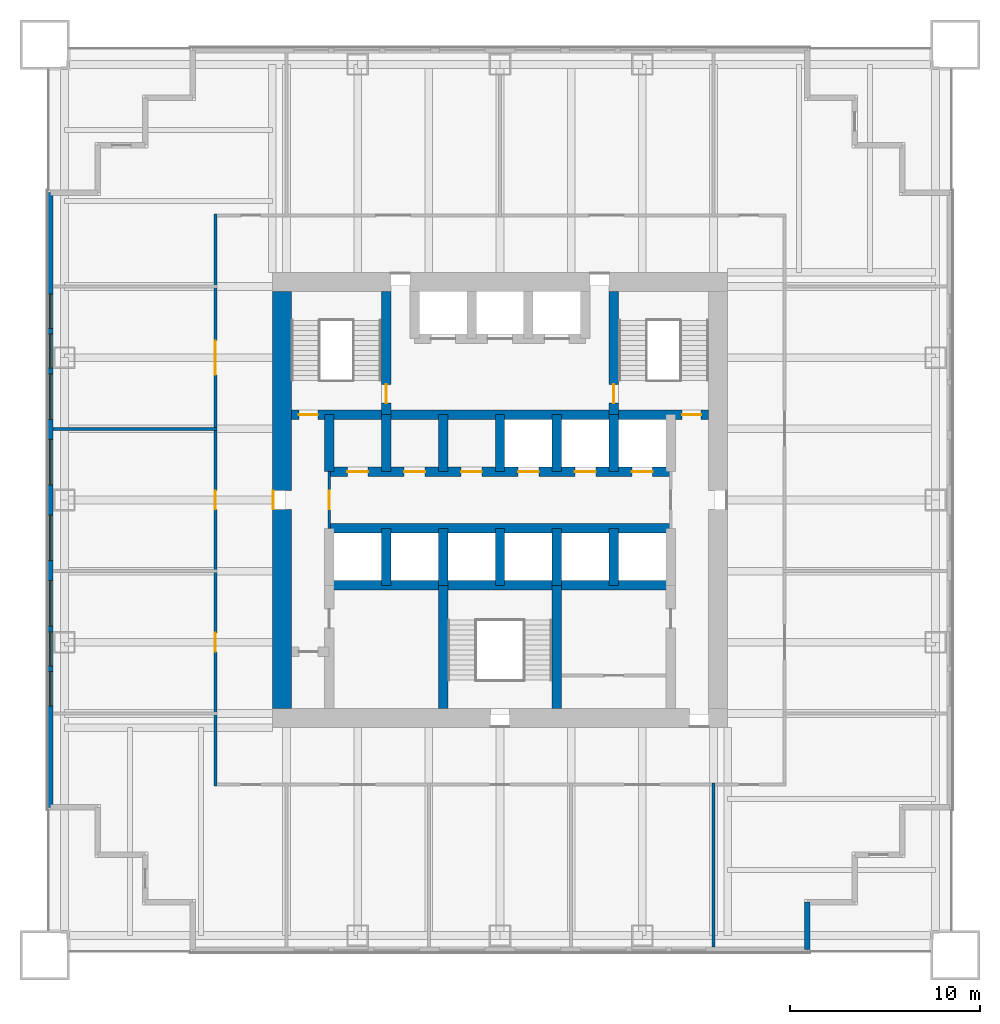
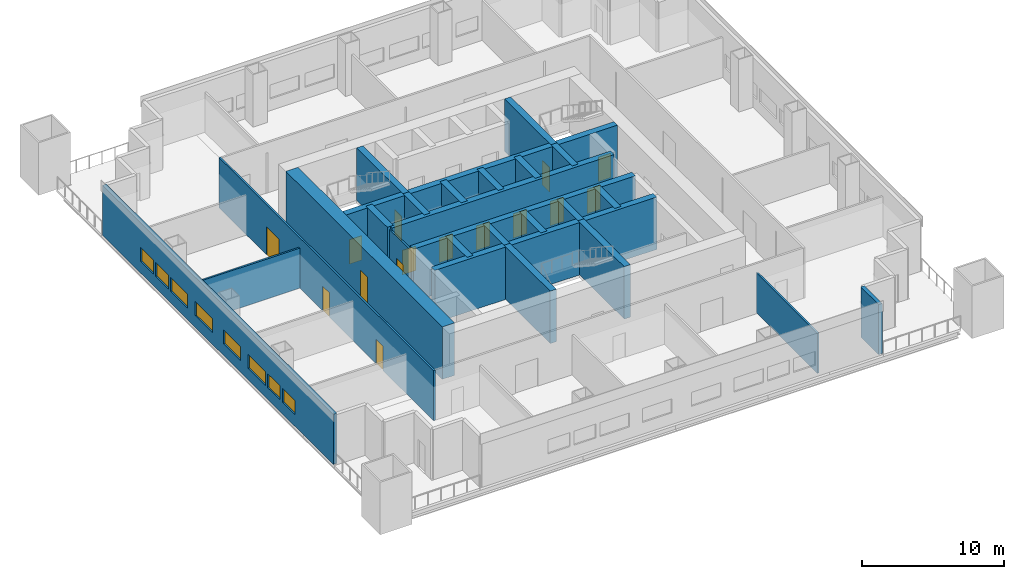
# One storey, part 3 of 7: 26 walls, 15 doors, 8 windows, 23 openings.
"""IFC4 building model written with IfcOpenShell, lengths in metres."""

import ifcopenshell
import ifcopenshell.guid

model = None  # the IFC model being written
_history = None  # IfcOwnerHistory: only IFC2X3 demands one
_inside = {}  # id of a spatial element -> (the spatial element, [elements in it])
_under = {}  # id of a project, library or spatial element -> (it, [spatial elements below it])
_declared = {}  # id of a project -> (the project, [libraries it declares])
_typed = {}  # id of a type object -> (the type object, [elements of that type])
_made_of = {}  # id of a material, layer set ... -> (it, [elements and type objects made of it])


def new_model(schema):
    """Start an empty IFC model of exactly this schema.

    Asked for "IFC4X3", IfcOpenShell would pick the latest addendum, in which some entities
    have other attributes; the version numbers below select the first issue.
    IFC2X3 requires an IfcOwnerHistory on every rooted entity: one is made here for all.
    """
    global model, _history
    if schema == "IFC4X3":
        model = ifcopenshell.file(schema_version=(4, 3, 0, 0))
    else:
        model = ifcopenshell.file(schema=schema)
    _inside.clear()
    _under.clear()
    _declared.clear()
    _typed.clear()
    _made_of.clear()
    _history = None
    if model.schema == "IFC2X3":
        org = make("IfcOrganization", Name="unknown")
        user = make(
            "IfcPersonAndOrganization",
            ThePerson=make("IfcPerson", FamilyName="unknown"),
            TheOrganization=org,
        )
        app = make(
            "IfcApplication",
            ApplicationDeveloper=org,
            Version="unknown",
            ApplicationFullName="unknown",
            ApplicationIdentifier="unknown",
        )
        _history = make(
            "IfcOwnerHistory",
            OwningUser=user,
            OwningApplication=app,
            ChangeAction="ADDED",
            CreationDate=0,
        )
    return model


def make(cls, **values):
    """One entity of the class cls with the attributes given. An attribute that is None is left unset."""
    return model.create_entity(
        cls, **{name: value for name, value in values.items() if value is not None}
    )


def rooted(cls, **values):
    """An entity with a GlobalId (a new one), such as an element, a storey or a relation."""
    return make(cls, GlobalId=ifcopenshell.guid.new(), OwnerHistory=_history, **values)


def si_unit(unit_type, name, prefix=None):
    """IfcSIUnit, for example si_unit("LENGTHUNIT", "METRE", prefix="MILLI")."""
    return make("IfcSIUnit", UnitType=unit_type, Prefix=prefix, Name=name)


def assignment(units):
    """IfcUnitAssignment: the units of a project."""
    return None if units is None else make("IfcUnitAssignment", Units=units)


def point(xyz):
    """IfcCartesianPoint."""
    return None if xyz is None else make("IfcCartesianPoint", Coordinates=xyz)


def direction(xyz):
    """IfcDirection."""
    return None if xyz is None else make("IfcDirection", DirectionRatios=xyz)


def frame(location, z_axis=None, x_axis=None):
    """IfcAxis2Placement3D, a coordinate frame: its origin and axes. An axis left out is left unset."""
    return make(
        "IfcAxis2Placement3D",
        Location=point(location),
        Axis=direction(z_axis),
        RefDirection=direction(x_axis),
    )


def frame_2d(location, x_axis=None):
    """IfcAxis2Placement2D, a coordinate frame in the plane: its origin and x axis."""
    return make(
        "IfcAxis2Placement2D", Location=point(location), RefDirection=direction(x_axis)
    )


def origin():
    """The frame at (0, 0, 0) with its axes left unset."""
    return frame((0.0, 0.0, 0.0))


def place(relative_to, where):
    """IfcLocalPlacement: puts the frame where relative to a parent placement (None: the world)."""
    return make(
        "IfcLocalPlacement", PlacementRelTo=relative_to, RelativePlacement=where
    )


def context(
    kind, dimensions, precision=None, world=None, true_north=None, identifier=None
):
    """IfcGeometricRepresentationContext, for example the 3D "Model" context."""
    return make(
        "IfcGeometricRepresentationContext",
        ContextIdentifier=identifier,
        ContextType=kind,
        CoordinateSpaceDimension=dimensions,
        Precision=precision,
        WorldCoordinateSystem=world,
        TrueNorth=true_north,
    )


def subcontext(parent, identifier, kind, view, scale=None):
    """IfcGeometricRepresentationSubContext, for example "Body" below "Model"."""
    return make(
        "IfcGeometricRepresentationSubContext",
        ContextIdentifier=identifier,
        ContextType=kind,
        ParentContext=parent,
        TargetScale=scale,
        TargetView=view,
    )


def project(units=None, contexts=None):
    """IfcProject with its units and contexts."""
    return rooted(
        "IfcProject",
        Name="project",
        RepresentationContexts=contexts,
        UnitsInContext=assignment(units),
    )


def spatial(cls, under=None, at=None, **own):
    """A site, building, storey or space (cls), placed at a placement, below another one or the project."""
    s = rooted(cls, ObjectPlacement=at, **own)
    if under is not None:
        _under.setdefault(under.id(), (under, []))[1].append(s)
    return s


def profile(cls, at=None, kind="AREA", **sizes):
    """A parametric profile (cls). Its sizes go by their IFC names, for example OverallWidth=200.0."""
    return make(cls, ProfileType=kind, Position=at, **sizes)


def rectangle(**sizes):
    """IfcRectangleProfileDef."""
    return profile("IfcRectangleProfileDef", **sizes)


def extrude(swept, where, along, depth):
    """IfcExtrudedAreaSolid: the profile swept, set in the frame where, extruded along a direction by depth."""
    return make(
        "IfcExtrudedAreaSolid",
        SweptArea=swept,
        Position=where,
        ExtrudedDirection=direction(along),
        Depth=depth,
    )


def shape(context_of_items, identifier, shape_type, items):
    """IfcShapeRepresentation: the items that make up one representation, for example the "Body"."""
    return make(
        "IfcShapeRepresentation",
        ContextOfItems=context_of_items,
        RepresentationIdentifier=identifier,
        RepresentationType=shape_type,
        Items=items,
    )


def material(Name=None, Category=None):
    """IfcMaterial."""
    return make("IfcMaterial", Name=Name, Category=Category)


def layer(
    of_material, thickness, ventilated=None, Name=None, Category=None, Priority=None
):
    """IfcMaterialLayer: one layer of a wall or slab, of a material (None: an air gap)."""
    return make(
        "IfcMaterialLayer",
        Material=of_material,
        LayerThickness=thickness,
        IsVentilated=ventilated,
        Name=Name,
        Category=Category,
        Priority=Priority,
    )


def layer_set(layers, Name=None):
    """IfcMaterialLayerSet."""
    return make("IfcMaterialLayerSet", MaterialLayers=layers, LayerSetName=Name)


def made_of(thing, what):
    """Note that an element or type object is made of a material, layer set ...; save() writes the relation."""
    if what is not None:
        _made_of.setdefault(what.id(), (what, []))[1].append(thing)
    return thing


def type_object(cls, material=None, **own):
    """A type object (cls), such as IfcWallType, which elements share."""
    return made_of(rooted(cls, **own), material)


def element(
    cls,
    number,
    at=None,
    inside=None,
    cuts=None,
    type_object=None,
    material=None,
    context=None,
    identifier="Body",
    shape_type=None,
    held_by="IfcProductDefinitionShape",
    body=None,
    shapes=None,
    **own,
):
    """One element of the class cls, such as IfcWall. Its Tag is "e" and its number.

    at: its placement. inside: the storey or other place that contains it. cuts: it is an
    opening in that element (IfcRelVoidsElement). A single representation is given by context,
    identifier, shape_type and body (its items); several are given by shapes. held_by: the class
    of the entity that holds the representations. save() writes the other relations.
    """
    e = rooted(cls, Tag="e%d" % number, ObjectPlacement=at, **own)
    if body is not None:
        shapes = [shape(context, identifier, shape_type, body)]
    if shapes is not None:
        e.Representation = make(held_by, Representations=shapes)
    if inside is not None:
        _inside.setdefault(inside.id(), (inside, []))[1].append(e)
    if cuts is not None:
        rooted(
            "IfcRelVoidsElement", RelatingBuildingElement=cuts, RelatedOpeningElement=e
        )
    if type_object is not None:
        _typed.setdefault(type_object.id(), (type_object, []))[1].append(e)
    return made_of(e, material)


def fill(opening, filler):
    """IfcRelFillsElement: the door or window that sits in an opening."""
    return rooted(
        "IfcRelFillsElement",
        RelatingOpeningElement=opening,
        RelatedBuildingElement=filler,
    )


def aggregate(whole, parts):
    """IfcRelAggregates: a whole, such as a stair, and the parts it consists of."""
    return rooted("IfcRelAggregates", RelatingObject=whole, RelatedObjects=parts)


def save(model, path):
    """Write the relations noted so far, then the file.

    IfcRelAggregates (storeys below a building ...), IfcRelContainedInSpatialStructure (elements
    in a storey), IfcRelDefinesByType, IfcRelAssociatesMaterial and IfcRelDeclares: one each for
    every whole, place, type object, material and project.
    """
    for whole, parts in _under.values():
        aggregate(whole, parts)
    for where, things in _inside.values():
        rooted(
            "IfcRelContainedInSpatialStructure",
            RelatedElements=things,
            RelatingStructure=where,
        )
    for kind, things in _typed.values():
        rooted("IfcRelDefinesByType", RelatedObjects=things, RelatingType=kind)
    for what, things in _made_of.values():
        rooted("IfcRelAssociatesMaterial", RelatedObjects=things, RelatingMaterial=what)
    for by, libraries in _declared.values():
        rooted("IfcRelDeclares", RelatingContext=by, RelatedDefinitions=libraries)
    model.write(path)


model = new_model("IFC4")

# Units and contexts
model_context = context("Model", 3, precision=1e-05, world=origin(), true_north=direction((0.0, 1.0)))
body_context = subcontext(model_context, "Body", "Model", "MODEL_VIEW")
ifc_project = project(units=[si_unit("LENGTHUNIT", "METRE"), si_unit("AREAUNIT", "SQUARE_METRE"), si_unit("VOLUMEUNIT", "CUBIC_METRE"), si_unit("PLANEANGLEUNIT", "RADIAN"), si_unit("MASSUNIT", "GRAM", prefix="KILO")], contexts=[model_context])

# Site, building, storey
site_placement = place(None, origin())
site = spatial("IfcSite", under=ifc_project, at=site_placement, CompositionType="ELEMENT")
building_placement = place(site_placement, origin())
building = spatial("IfcBuilding", under=site, at=building_placement, Name="Tarangal Relay Tower", CompositionType="ELEMENT")
storey_placement = place(building_placement, frame((0.0, 0.0, 162.89990234375)))
storey = spatial("IfcBuildingStorey", under=building, at=storey_placement, Name="L33", CompositionType="ELEMENT", Elevation=162.89990234375)

# Wall, openings, doors
ifc_material_1 = material(Name="Concrete fc' 60 MPa", Category="concrete")
ifc_layer_1 = layer(ifc_material_1, 0.5)
ifc_layer_set_1 = layer_set([ifc_layer_1], Name="Core inner wall 500")
wall_type_1 = type_object("IfcWallType", Name="Core inner wall 500", PredefinedType="SHEAR", material=ifc_layer_set_1)
wall_1_placement = place(storey_placement, frame((-11.0, 4.5, 0.0), z_axis=(0.0, 0.0, 1.0), x_axis=(1.0, 0.0, 0.0)))
wall_1 = element("IfcWall", 1, at=wall_1_placement, inside=storey, type_object=wall_type_1, Name="Core wall Y45 L33", PredefinedType="SHEAR", context=body_context, shape_type="SweptSolid", body=[
    extrude(rectangle(XDim=22.0, YDim=0.5, at=frame_2d((11.0, 0.0))), origin(), (0.0, 0.0, 1.0), 4.5),
])
opening_1_placement = place(wall_1_placement, frame((0.39990234375, 0.0, 0.0)))
opening_1 = element("IfcOpeningElement", 2, at=opening_1_placement, cuts=wall_1, Name="Opening FD1", PredefinedType="OPENING", context=body_context, shape_type="SweptSolid", body=[
    extrude(rectangle(XDim=1.0, YDim=2.10009765625, at=frame_2d((0.5, 1.050048828125))), frame((0.0, 0.260009765625, 0.0), z_axis=(0.0, -1.0, 0.0), x_axis=(1.0, 0.0, 0.0)), (0.0, 0.0, 1.0), 0.52001953125),
])
opening_2_placement = place(wall_1_placement, frame((20.60009765625, 0.0, 0.0)))
opening_2 = element("IfcOpeningElement", 3, at=opening_2_placement, cuts=wall_1, Name="Opening FD1", PredefinedType="OPENING", context=body_context, shape_type="SweptSolid", body=[
    extrude(rectangle(XDim=1.0, YDim=2.10009765625, at=frame_2d((0.5, 1.050048828125))), frame((0.0, 0.260009765625, 0.0), z_axis=(0.0, -1.0, 0.0), x_axis=(1.0, 0.0, 0.0)), (0.0, 0.0, 1.0), 0.52001953125),
])
ifc_material_2 = material(Name="Steel door with hardwood frame", Category="steel")
door_type_1 = type_object("IfcDoorType", Name="Fire door 1000 x 2100", OperationType="SINGLE_SWING_LEFT", PredefinedType="DOOR", material=ifc_material_2)
door_1_placement = place(opening_1_placement, origin())
door_1 = element("IfcDoor", 4, at=door_1_placement, inside=storey, type_object=door_type_1, Name="Stair ST-A door from corridor L33", OperationType="SINGLE_SWING_LEFT", OverallHeight=2.10009765625, OverallWidth=1.0, PredefinedType="DOOR", context=body_context, shape_type="SweptSolid", body=[
    extrude(rectangle(XDim=1.0, YDim=2.10009765625, at=frame_2d((0.5, 1.050048828125))), frame((0.0, 0.02490234375, 0.0), z_axis=(0.0, -1.0, 0.0), x_axis=(1.0, 0.0, 0.0)), (0.0, 0.0, 1.0), 0.050048828125),
])
fill(opening_1, door_1)
door_2_placement = place(opening_2_placement, origin())
door_2 = element("IfcDoor", 5, at=door_2_placement, inside=storey, type_object=door_type_1, Name="Stair ST-B door from corridor L33", OperationType="SINGLE_SWING_LEFT", OverallHeight=2.10009765625, OverallWidth=1.0, PredefinedType="DOOR", context=body_context, shape_type="SweptSolid", body=[
    extrude(rectangle(XDim=1.0, YDim=2.10009765625, at=frame_2d((0.5, 1.050048828125))), frame((0.0, 0.02490234375, 0.0), z_axis=(0.0, -1.0, 0.0), x_axis=(1.0, 0.0, 0.0)), (0.0, 0.0, 1.0), 0.050048828125),
])
fill(opening_2, door_2)

wall_2_placement = place(storey_placement, frame((-9.0, 1.5, 0.0), z_axis=(0.0, 0.0, 1.0), x_axis=(1.0, 0.0, 0.0)))
wall_2 = element("IfcWall", 6, at=wall_2_placement, inside=storey, type_object=wall_type_1, Name="Core wall Y15 L33", PredefinedType="SHEAR", context=body_context, shape_type="SweptSolid", body=[
    extrude(rectangle(XDim=18.0, YDim=0.5, at=frame_2d((9.0, 0.0))), origin(), (0.0, 0.0, 1.0), 4.5),
])
opening_3_placement = place(wall_2_placement, frame((9.949951171875, 0.0, 0.0)))
opening_3 = element("IfcOpeningElement", 7, at=opening_3_placement, cuts=wall_2, Name="Opening LD1", PredefinedType="OPENING", context=body_context, shape_type="SweptSolid", body=[
    extrude(rectangle(XDim=1.10009765625, YDim=2.10009765625, at=frame_2d((0.550048828125, 1.050048828125))), frame((0.0, 0.260009765625, 0.0), z_axis=(0.0, -1.0, 0.0), x_axis=(1.0, 0.0, 0.0)), (0.0, 0.0, 1.0), 0.52001953125),
])
opening_4_placement = place(wall_2_placement, frame((12.949951171875, 0.0, 0.0)))
opening_4 = element("IfcOpeningElement", 8, at=opening_4_placement, cuts=wall_2, Name="Opening LD1", PredefinedType="OPENING", context=body_context, shape_type="SweptSolid", body=[
    extrude(rectangle(XDim=1.10009765625, YDim=2.10009765625, at=frame_2d((0.550048828125, 1.050048828125))), frame((0.0, 0.260009765625, 0.0), z_axis=(0.0, -1.0, 0.0), x_axis=(1.0, 0.0, 0.0)), (0.0, 0.0, 1.0), 0.52001953125),
])
opening_5_placement = place(wall_2_placement, frame((15.949951171875, 0.0, 0.0)))
opening_5 = element("IfcOpeningElement", 9, at=opening_5_placement, cuts=wall_2, Name="Opening LD1", PredefinedType="OPENING", context=body_context, shape_type="SweptSolid", body=[
    extrude(rectangle(XDim=1.10009765625, YDim=2.10009765625, at=frame_2d((0.550048828125, 1.050048828125))), frame((0.0, 0.260009765625, 0.0), z_axis=(0.0, -1.0, 0.0), x_axis=(1.0, 0.0, 0.0)), (0.0, 0.0, 1.0), 0.52001953125),
])
opening_6_placement = place(wall_2_placement, frame((0.949951171875, 0.0, 0.0)))
opening_6 = element("IfcOpeningElement", 10, at=opening_6_placement, cuts=wall_2, Name="Opening D4", PredefinedType="OPENING", context=body_context, shape_type="SweptSolid", body=[
    extrude(rectangle(XDim=1.10009765625, YDim=2.10009765625, at=frame_2d((0.550048828125, 1.050048828125))), frame((0.0, 0.260009765625, 0.0), z_axis=(0.0, -1.0, 0.0), x_axis=(1.0, 0.0, 0.0)), (0.0, 0.0, 1.0), 0.52001953125),
])
opening_7_placement = place(wall_2_placement, frame((3.949951171875, 0.0, 0.0)))
opening_7 = element("IfcOpeningElement", 11, at=opening_7_placement, cuts=wall_2, Name="Opening D4", PredefinedType="OPENING", context=body_context, shape_type="SweptSolid", body=[
    extrude(rectangle(XDim=1.10009765625, YDim=2.10009765625, at=frame_2d((0.550048828125, 1.050048828125))), frame((0.0, 0.260009765625, 0.0), z_axis=(0.0, -1.0, 0.0), x_axis=(1.0, 0.0, 0.0)), (0.0, 0.0, 1.0), 0.52001953125),
])
opening_8_placement = place(wall_2_placement, frame((6.949951171875, 0.0, 0.0)))
opening_8 = element("IfcOpeningElement", 12, at=opening_8_placement, cuts=wall_2, Name="Opening D4", PredefinedType="OPENING", context=body_context, shape_type="SweptSolid", body=[
    extrude(rectangle(XDim=1.10009765625, YDim=2.10009765625, at=frame_2d((0.550048828125, 1.050048828125))), frame((0.0, 0.260009765625, 0.0), z_axis=(0.0, -1.0, 0.0), x_axis=(1.0, 0.0, 0.0)), (0.0, 0.0, 1.0), 0.52001953125),
])
door_type_2 = type_object("IfcDoorType", Name="Core room door 1100 x 2100", OperationType="SINGLE_SWING_RIGHT", PredefinedType="DOOR", material=ifc_material_2)
door_3_placement = place(opening_6_placement, origin())
door_3 = element("IfcDoor", 13, at=door_3_placement, inside=storey, type_object=door_type_2, Name="Door D4 to back-of-house plant room L33-D1", OperationType="SINGLE_SWING_RIGHT", OverallHeight=2.10009765625, OverallWidth=1.10009765625, PredefinedType="DOOR", context=body_context, shape_type="SweptSolid", body=[
    extrude(rectangle(XDim=1.10009765625, YDim=2.10009765625, at=frame_2d((0.550048828125, 1.050048828125))), frame((0.0, 0.02490234375, 0.0), z_axis=(0.0, -1.0, 0.0), x_axis=(1.0, 0.0, 0.0)), (0.0, 0.0, 1.0), 0.050048828125),
])
fill(opening_6, door_3)
door_4_placement = place(opening_7_placement, origin())
door_4 = element("IfcDoor", 14, at=door_4_placement, inside=storey, type_object=door_type_2, Name="Door D4 to staff pantry L33-D2", OperationType="SINGLE_SWING_RIGHT", OverallHeight=2.10009765625, OverallWidth=1.10009765625, PredefinedType="DOOR", context=body_context, shape_type="SweptSolid", body=[
    extrude(rectangle(XDim=1.10009765625, YDim=2.10009765625, at=frame_2d((0.550048828125, 1.050048828125))), frame((0.0, 0.02490234375, 0.0), z_axis=(0.0, -1.0, 0.0), x_axis=(1.0, 0.0, 0.0)), (0.0, 0.0, 1.0), 0.050048828125),
])
fill(opening_7, door_4)
door_5_placement = place(opening_8_placement, origin())
door_5 = element("IfcDoor", 15, at=door_5_placement, inside=storey, type_object=door_type_2, Name="Door D4 to staff wc L33-D3", OperationType="SINGLE_SWING_RIGHT", OverallHeight=2.10009765625, OverallWidth=1.10009765625, PredefinedType="DOOR", context=body_context, shape_type="SweptSolid", body=[
    extrude(rectangle(XDim=1.10009765625, YDim=2.10009765625, at=frame_2d((0.550048828125, 1.050048828125))), frame((0.0, 0.02490234375, 0.0), z_axis=(0.0, -1.0, 0.0), x_axis=(1.0, 0.0, 0.0)), (0.0, 0.0, 1.0), 0.050048828125),
])
fill(opening_8, door_5)
door_type_3 = type_object("IfcDoorType", Name="Lift landing door 1100 x 2100", OperationType="SLIDING_TO_LEFT", PredefinedType="DOOR", material=ifc_material_2)
door_6_placement = place(opening_3_placement, origin())
door_6 = element("IfcDoor", 16, at=door_6_placement, inside=storey, type_object=door_type_3, Name="Lift T1 landing door L33", OperationType="SLIDING_TO_LEFT", OverallHeight=2.10009765625, OverallWidth=1.10009765625, PredefinedType="DOOR", context=body_context, shape_type="SweptSolid", body=[
    extrude(rectangle(XDim=1.10009765625, YDim=2.10009765625, at=frame_2d((0.550048828125, 1.050048828125))), frame((0.0, 0.02490234375, 0.0), z_axis=(0.0, -1.0, 0.0), x_axis=(1.0, 0.0, 0.0)), (0.0, 0.0, 1.0), 0.050048828125),
])
fill(opening_3, door_6)
door_7_placement = place(opening_4_placement, origin())
door_7 = element("IfcDoor", 17, at=door_7_placement, inside=storey, type_object=door_type_3, Name="Lift T2 landing door L33", OperationType="SLIDING_TO_LEFT", OverallHeight=2.10009765625, OverallWidth=1.10009765625, PredefinedType="DOOR", context=body_context, shape_type="SweptSolid", body=[
    extrude(rectangle(XDim=1.10009765625, YDim=2.10009765625, at=frame_2d((0.550048828125, 1.050048828125))), frame((0.0, 0.02490234375, 0.0), z_axis=(0.0, -1.0, 0.0), x_axis=(1.0, 0.0, 0.0)), (0.0, 0.0, 1.0), 0.050048828125),
])
fill(opening_4, door_7)
door_8_placement = place(opening_5_placement, origin())
door_8 = element("IfcDoor", 18, at=door_8_placement, inside=storey, type_object=door_type_3, Name="Lift T3 landing door L33", OperationType="SLIDING_TO_LEFT", OverallHeight=2.10009765625, OverallWidth=1.10009765625, PredefinedType="DOOR", context=body_context, shape_type="SweptSolid", body=[
    extrude(rectangle(XDim=1.10009765625, YDim=2.10009765625, at=frame_2d((0.550048828125, 1.050048828125))), frame((0.0, 0.02490234375, 0.0), z_axis=(0.0, -1.0, 0.0), x_axis=(1.0, 0.0, 0.0)), (0.0, 0.0, 1.0), 0.050048828125),
])
fill(opening_5, door_8)

# Walls
for number, where, z_axis, x_axis, name in (
    (19, (-9.0, -1.5, 0.0), (0.0, 0.0, 1.0), (1.0, 0.0, 0.0), "Core wall YM15 L33"),
    (20, (-9.0, -4.5, 0.0), (0.0, 0.0, 1.0), (1.0, 0.0, 0.0), "Core wall YM45 L33"),
):
    element("IfcWall", number, at=place(storey_placement, frame(where, z_axis=z_axis, x_axis=x_axis)), inside=storey, type_object=wall_type_1, Name=name, PredefinedType="SHEAR", context=body_context, shape_type="SweptSolid", body=[
        extrude(rectangle(XDim=18.0, YDim=0.5, at=frame_2d((9.0, 0.0))), origin(), (0.0, 0.0, 1.0), 4.5),
    ])
for number, where, z_axis, x_axis, name in (
    (21, (-9.0, 1.5, 0.0), (0.0, 0.0, 1.0), (0.0, 1.0, 0.0), "Core wall XM9N L33"),
    (22, (-6.0, 1.5, 0.0), (0.0, 0.0, 1.0), (0.0, 1.0, 0.0), "Core wall XM6N L33"),
    (23, (-3.0, 1.5, 0.0), (0.0, 0.0, 1.0), (0.0, 1.0, 0.0), "Core wall XM3N L33"),
    (24, (0.0, 1.5, 0.0), (0.0, 0.0, 1.0), (0.0, 1.0, 0.0), "Core wall X0N L33"),
    (25, (3.0, 1.5, 0.0), (0.0, 0.0, 1.0), (0.0, 1.0, 0.0), "Core wall X3N L33"),
    (26, (6.0, 1.5, 0.0), (0.0, 0.0, 1.0), (0.0, 1.0, 0.0), "Core wall X6N L33"),
    (27, (-6.0, -4.5, 0.0), (0.0, 0.0, 1.0), (0.0, 1.0, 0.0), "Core wall XM6S L33"),
    (28, (-3.0, -4.5, 0.0), (0.0, 0.0, 1.0), (0.0, 1.0, 0.0), "Core wall XM3S L33"),
    (29, (0.0, -4.5, 0.0), (0.0, 0.0, 1.0), (0.0, 1.0, 0.0), "Core wall X0S L33"),
    (30, (3.0, -4.5, 0.0), (0.0, 0.0, 1.0), (0.0, 1.0, 0.0), "Core wall X3S L33"),
    (31, (6.0, -4.5, 0.0), (0.0, 0.0, 1.0), (0.0, 1.0, 0.0), "Core wall X6S L33"),
):
    element("IfcWall", number, at=place(storey_placement, frame(where, z_axis=z_axis, x_axis=x_axis)), inside=storey, type_object=wall_type_1, Name=name, PredefinedType="SHEAR", context=body_context, shape_type="SweptSolid", body=[
        extrude(rectangle(XDim=3.0, YDim=0.5, at=frame_2d((1.5, 0.0))), origin(), (0.0, 0.0, 1.0), 4.5),
    ])

# Wall, opening, door
wall_3_placement = place(storey_placement, frame((-6.0, 4.5, 0.0), z_axis=(0.0, 0.0, 1.0), x_axis=(0.0, 1.0, 0.0)))
wall_3 = element("IfcWall", 32, at=wall_3_placement, inside=storey, type_object=wall_type_1, Name="Core wall XM6 L33", PredefinedType="SHEAR", context=body_context, shape_type="SweptSolid", body=[
    extrude(rectangle(XDim=6.5, YDim=0.5, at=frame_2d((3.25, 0.0))), origin(), (0.0, 0.0, 1.0), 4.5),
])
opening_9_placement = place(wall_3_placement, frame((0.60009765625, 0.0, 0.0)))
opening_9 = element("IfcOpeningElement", 33, at=opening_9_placement, cuts=wall_3, Name="Opening FD1", PredefinedType="OPENING", context=body_context, shape_type="SweptSolid", body=[
    extrude(rectangle(XDim=1.0, YDim=2.10009765625, at=frame_2d((0.5, 1.050048828125))), frame((0.0, 0.260009765625, 0.0), z_axis=(0.0, -1.0, 0.0), x_axis=(1.0, 0.0, 0.0)), (0.0, 0.0, 1.0), 0.52001953125),
])
door_9_placement = place(opening_9_placement, origin())
door_9 = element("IfcDoor", 34, at=door_9_placement, inside=storey, type_object=door_type_1, Name="Stair ST-A door from fire-fighting lobby L33", OperationType="SINGLE_SWING_LEFT", OverallHeight=2.10009765625, OverallWidth=1.0, PredefinedType="DOOR", context=body_context, shape_type="SweptSolid", body=[
    extrude(rectangle(XDim=1.0, YDim=2.10009765625, at=frame_2d((0.5, 1.050048828125))), frame((0.0, 0.02490234375, 0.0), z_axis=(0.0, -1.0, 0.0), x_axis=(1.0, 0.0, 0.0)), (0.0, 0.0, 1.0), 0.050048828125),
])
fill(opening_9, door_9)

wall_4_placement = place(storey_placement, frame((6.0, 4.5, 0.0), z_axis=(0.0, 0.0, 1.0), x_axis=(0.0, 1.0, 0.0)))
wall_4 = element("IfcWall", 35, at=wall_4_placement, inside=storey, type_object=wall_type_1, Name="Core wall X6 L33", PredefinedType="SHEAR", context=body_context, shape_type="SweptSolid", body=[
    extrude(rectangle(XDim=6.5, YDim=0.5, at=frame_2d((3.25, 0.0))), origin(), (0.0, 0.0, 1.0), 4.5),
])
opening_10_placement = place(wall_4_placement, frame((0.60009765625, 0.0, 0.0)))
opening_10 = element("IfcOpeningElement", 36, at=opening_10_placement, cuts=wall_4, Name="Opening FD1", PredefinedType="OPENING", context=body_context, shape_type="SweptSolid", body=[
    extrude(rectangle(XDim=1.0, YDim=2.10009765625, at=frame_2d((0.5, 1.050048828125))), frame((0.0, 0.260009765625, 0.0), z_axis=(0.0, -1.0, 0.0), x_axis=(1.0, 0.0, 0.0)), (0.0, 0.0, 1.0), 0.52001953125),
])
door_10_placement = place(opening_10_placement, origin())
door_10 = element("IfcDoor", 37, at=door_10_placement, inside=storey, type_object=door_type_1, Name="Stair ST-B door from fire-fighting lobby L33", OperationType="SINGLE_SWING_LEFT", OverallHeight=2.10009765625, OverallWidth=1.0, PredefinedType="DOOR", context=body_context, shape_type="SweptSolid", body=[
    extrude(rectangle(XDim=1.0, YDim=2.10009765625, at=frame_2d((0.5, 1.050048828125))), frame((0.0, 0.02490234375, 0.0), z_axis=(0.0, -1.0, 0.0), x_axis=(1.0, 0.0, 0.0)), (0.0, 0.0, 1.0), 0.050048828125),
])
fill(opening_10, door_10)

# Walls
for number, where, z_axis, x_axis, name in (
    (38, (-3.0, -11.0, 0.0), (0.0, 0.0, 1.0), (0.0, 1.0, 0.0), "Core wall XM3W L33"),
    (39, (3.0, -11.0, 0.0), (0.0, 0.0, 1.0), (0.0, 1.0, 0.0), "Core wall X3W L33"),
):
    element("IfcWall", number, at=place(storey_placement, frame(where, z_axis=z_axis, x_axis=x_axis)), inside=storey, type_object=wall_type_1, Name=name, PredefinedType="SHEAR", context=body_context, shape_type="SweptSolid", body=[
        extrude(rectangle(XDim=6.5, YDim=0.5, at=frame_2d((3.25, 0.0))), origin(), (0.0, 0.0, 1.0), 4.5),
    ])

# Wall, opening, door
ifc_layer_2 = layer(ifc_material_1, 1.0)
ifc_layer_set_2 = layer_set([ifc_layer_2], Name="Core wall 1000")
wall_type_2 = type_object("IfcWallType", Name="Core wall 1000", PredefinedType="SHEAR", material=ifc_layer_set_2)
wall_5_placement = place(storey_placement, frame((-11.5, -11.0, 0.0), z_axis=(0.0, 0.0, 1.0), x_axis=(0.0, 1.0, 0.0)))
wall_5 = element("IfcWall", 40, at=wall_5_placement, inside=storey, type_object=wall_type_2, Name="Core wall W L33", PredefinedType="SHEAR", context=body_context, shape_type="SweptSolid", body=[
    extrude(rectangle(XDim=22.0, YDim=1.0, at=frame_2d((11.0, 0.0))), origin(), (0.0, 0.0, 1.0), 4.5),
])
opening_11_placement = place(wall_5_placement, frame((10.5, 0.0, 0.0)))
opening_11 = element("IfcOpeningElement", 41, at=opening_11_placement, cuts=wall_5, Name="Opening FD3", PredefinedType="OPENING", context=body_context, shape_type="SweptSolid", body=[
    extrude(rectangle(XDim=1.0, YDim=2.39990234375, at=frame_2d((0.5, 1.199951171875))), frame((0.0, 0.510009765625, 0.0), z_axis=(0.0, -1.0, 0.0), x_axis=(1.0, 0.0, 0.0)), (0.0, 0.0, 1.0), 1.02001953125),
])
door_type_4 = type_object("IfcDoorType", Name="Fire door 1000 x 2400 core entry", OperationType="SINGLE_SWING_RIGHT", PredefinedType="DOOR", material=ifc_material_2)
door_11_placement = place(opening_11_placement, origin())
door_11 = element("IfcDoor", 42, at=door_11_placement, inside=storey, type_object=door_type_4, Name="Core entry door west L33", OperationType="SINGLE_SWING_RIGHT", OverallHeight=2.39990234375, OverallWidth=1.0, PredefinedType="DOOR", context=body_context, shape_type="SweptSolid", body=[
    extrude(rectangle(XDim=1.0, YDim=2.39990234375, at=frame_2d((0.5, 1.199951171875))), frame((0.0, 0.48486328125, 0.0), z_axis=(0.0, -1.0, 0.0), x_axis=(1.0, 0.0, 0.0)), (0.0, 0.0, 1.0), 0.050048828125),
])
fill(opening_11, door_11)

# Wall
ifc_material_3 = material(Name="Insulated precast concrete fc' 40 MPa", Category="concrete")
ifc_layer_3 = layer(ifc_material_3, 0.300048828125)
ifc_layer_set_3 = layer_set([ifc_layer_3], Name="Insulated precast concrete fc' 40 MPa")
wall_type_3 = type_object("IfcWallType", Name="Facade wall precast 300", PredefinedType="SOLIDWALL", material=ifc_layer_set_3)
wall_6_placement = place(storey_placement, frame((16.199951171875, -21.199951171875, 0.0), z_axis=(0.0, 0.0, 1.0), x_axis=(0.0, -1.0, 0.0)))
element("IfcWall", 43, at=wall_6_placement, inside=storey, type_object=wall_type_3, Name="Facade wall E facade L33", PredefinedType="SOLIDWALL", context=body_context, shape_type="SweptSolid", body=[
    extrude(rectangle(XDim=2.5, YDim=0.300048828125, at=frame_2d((1.25, 0.0))), origin(), (0.0, 0.0, 1.0), 4.300048828125),
])

# Wall, openings, windows
wall_7_placement = place(storey_placement, frame((-23.699951171875, -16.199951171875, 0.0), z_axis=(0.0, 0.0, 1.0), x_axis=(0.0, 1.0, 0.0)))
wall_7 = element("IfcWall", 44, at=wall_7_placement, inside=storey, type_object=wall_type_3, Name="Facade wall W facade L33", PredefinedType="SOLIDWALL", context=body_context, shape_type="SweptSolid", body=[
    extrude(rectangle(XDim=32.39990234375, YDim=0.300048828125, at=frame_2d((16.199951171875, 0.0))), origin(), (0.0, 0.0, 1.0), 4.300048828125),
])
opening_12_placement = place(wall_7_placement, frame((5.35009765625, 0.0, 1.0)))
opening_12 = element("IfcOpeningElement", 45, at=opening_12_placement, cuts=wall_7, Name="Opening WN5", PredefinedType="OPENING", context=body_context, shape_type="SweptSolid", body=[
    extrude(rectangle(XDim=1.800048828125, YDim=1.199951171875, at=frame_2d((0.89990234375, 0.60009765625))), frame((0.0, 0.159912109375, 0.0), z_axis=(0.0, -1.0, 0.0), x_axis=(1.0, 0.0, 0.0)), (0.0, 0.0, 1.0), 0.320068359375),
])
opening_13_placement = place(wall_7_placement, frame((7.449951171875, 0.0, 1.0)))
opening_13 = element("IfcOpeningElement", 46, at=opening_13_placement, cuts=wall_7, Name="Opening WN5", PredefinedType="OPENING", context=body_context, shape_type="SweptSolid", body=[
    extrude(rectangle(XDim=1.800048828125, YDim=1.199951171875, at=frame_2d((0.89990234375, 0.60009765625))), frame((0.0, 0.159912109375, 0.0), z_axis=(0.0, -1.0, 0.0), x_axis=(1.0, 0.0, 0.0)), (0.0, 0.0, 1.0), 0.320068359375),
])
opening_14_placement = place(wall_7_placement, frame((9.550048828125, 0.0, 1.0)))
opening_14 = element("IfcOpeningElement", 47, at=opening_14_placement, cuts=wall_7, Name="Opening WN1", PredefinedType="OPENING", context=body_context, shape_type="SweptSolid", body=[
    extrude(rectangle(XDim=2.39990234375, YDim=1.199951171875, at=frame_2d((1.199951171875, 0.60009765625))), frame((0.0, 0.159912109375, 0.0), z_axis=(0.0, -1.0, 0.0), x_axis=(1.0, 0.0, 0.0)), (0.0, 0.0, 1.0), 0.320068359375),
])
opening_15_placement = place(wall_7_placement, frame((13.0, 0.0, 1.0)))
opening_15 = element("IfcOpeningElement", 48, at=opening_15_placement, cuts=wall_7, Name="Opening WN1", PredefinedType="OPENING", context=body_context, shape_type="SweptSolid", body=[
    extrude(rectangle(XDim=2.39990234375, YDim=1.199951171875, at=frame_2d((1.199951171875, 0.60009765625))), frame((0.0, 0.159912109375, 0.0), z_axis=(0.0, -1.0, 0.0), x_axis=(1.0, 0.0, 0.0)), (0.0, 0.0, 1.0), 0.320068359375),
])
opening_16_placement = place(wall_7_placement, frame((17.0, 0.0, 1.0)))
opening_16 = element("IfcOpeningElement", 49, at=opening_16_placement, cuts=wall_7, Name="Opening WN1", PredefinedType="OPENING", context=body_context, shape_type="SweptSolid", body=[
    extrude(rectangle(XDim=2.39990234375, YDim=1.199951171875, at=frame_2d((1.199951171875, 0.60009765625))), frame((0.0, 0.159912109375, 0.0), z_axis=(0.0, -1.0, 0.0), x_axis=(1.0, 0.0, 0.0)), (0.0, 0.0, 1.0), 0.320068359375),
])
opening_17_placement = place(wall_7_placement, frame((20.449951171875, 0.0, 1.0)))
opening_17 = element("IfcOpeningElement", 50, at=opening_17_placement, cuts=wall_7, Name="Opening WN1", PredefinedType="OPENING", context=body_context, shape_type="SweptSolid", body=[
    extrude(rectangle(XDim=2.39990234375, YDim=1.199951171875, at=frame_2d((1.199951171875, 0.60009765625))), frame((0.0, 0.159912109375, 0.0), z_axis=(0.0, -1.0, 0.0), x_axis=(1.0, 0.0, 0.0)), (0.0, 0.0, 1.0), 0.320068359375),
])
opening_18_placement = place(wall_7_placement, frame((23.14990234375, 0.0, 1.0)))
opening_18 = element("IfcOpeningElement", 51, at=opening_18_placement, cuts=wall_7, Name="Opening WN5", PredefinedType="OPENING", context=body_context, shape_type="SweptSolid", body=[
    extrude(rectangle(XDim=1.800048828125, YDim=1.199951171875, at=frame_2d((0.89990234375, 0.60009765625))), frame((0.0, 0.159912109375, 0.0), z_axis=(0.0, -1.0, 0.0), x_axis=(1.0, 0.0, 0.0)), (0.0, 0.0, 1.0), 0.320068359375),
])
opening_19_placement = place(wall_7_placement, frame((25.25, 0.0, 1.0)))
opening_19 = element("IfcOpeningElement", 52, at=opening_19_placement, cuts=wall_7, Name="Opening WN5", PredefinedType="OPENING", context=body_context, shape_type="SweptSolid", body=[
    extrude(rectangle(XDim=1.800048828125, YDim=1.199951171875, at=frame_2d((0.89990234375, 0.60009765625))), frame((0.0, 0.159912109375, 0.0), z_axis=(0.0, -1.0, 0.0), x_axis=(1.0, 0.0, 0.0)), (0.0, 0.0, 1.0), 0.320068359375),
])
ifc_material_4 = material(Name="Dark tinted double glazing in black aluminium frame", Category="aluminium")
window_type_1 = type_object("IfcWindowType", Name="Ribbon window 1800 x 1200", PartitioningType="SINGLE_PANEL", PredefinedType="WINDOW", material=ifc_material_4)
window_1_placement = place(opening_12_placement, origin())
window_1 = element("IfcWindow", 53, at=window_1_placement, inside=storey, type_object=window_type_1, Name="Ribbon window WN5 W facade L33", OverallHeight=1.199951171875, OverallWidth=1.800048828125, PartitioningType="SINGLE_PANEL", PredefinedType="WINDOW", context=body_context, shape_type="SweptSolid", body=[
    extrude(rectangle(XDim=1.800048828125, YDim=1.199951171875, at=frame_2d((0.89990234375, 0.60009765625))), frame((0.0, 0.030029296875, 0.0), z_axis=(0.0, -1.0, 0.0), x_axis=(1.0, 0.0, 0.0)), (0.0, 0.0, 1.0), 0.06005859375),
])
fill(opening_12, window_1)
window_2_placement = place(opening_13_placement, origin())
window_2 = element("IfcWindow", 54, at=window_2_placement, inside=storey, type_object=window_type_1, Name="Ribbon window WN5 W facade L33", OverallHeight=1.199951171875, OverallWidth=1.800048828125, PartitioningType="SINGLE_PANEL", PredefinedType="WINDOW", context=body_context, shape_type="SweptSolid", body=[
    extrude(rectangle(XDim=1.800048828125, YDim=1.199951171875, at=frame_2d((0.89990234375, 0.60009765625))), frame((0.0, 0.030029296875, 0.0), z_axis=(0.0, -1.0, 0.0), x_axis=(1.0, 0.0, 0.0)), (0.0, 0.0, 1.0), 0.06005859375),
])
fill(opening_13, window_2)
window_3_placement = place(opening_18_placement, origin())
window_3 = element("IfcWindow", 55, at=window_3_placement, inside=storey, type_object=window_type_1, Name="Ribbon window WN5 W facade L33", OverallHeight=1.199951171875, OverallWidth=1.800048828125, PartitioningType="SINGLE_PANEL", PredefinedType="WINDOW", context=body_context, shape_type="SweptSolid", body=[
    extrude(rectangle(XDim=1.800048828125, YDim=1.199951171875, at=frame_2d((0.89990234375, 0.60009765625))), frame((0.0, 0.030029296875, 0.0), z_axis=(0.0, -1.0, 0.0), x_axis=(1.0, 0.0, 0.0)), (0.0, 0.0, 1.0), 0.06005859375),
])
fill(opening_18, window_3)
window_4_placement = place(opening_19_placement, origin())
window_4 = element("IfcWindow", 56, at=window_4_placement, inside=storey, type_object=window_type_1, Name="Ribbon window WN5 W facade L33", OverallHeight=1.199951171875, OverallWidth=1.800048828125, PartitioningType="SINGLE_PANEL", PredefinedType="WINDOW", context=body_context, shape_type="SweptSolid", body=[
    extrude(rectangle(XDim=1.800048828125, YDim=1.199951171875, at=frame_2d((0.89990234375, 0.60009765625))), frame((0.0, 0.030029296875, 0.0), z_axis=(0.0, -1.0, 0.0), x_axis=(1.0, 0.0, 0.0)), (0.0, 0.0, 1.0), 0.06005859375),
])
fill(opening_19, window_4)
window_type_2 = type_object("IfcWindowType", Name="Ribbon window 2400 x 1200", PartitioningType="SINGLE_PANEL", PredefinedType="WINDOW", material=ifc_material_4)
window_5_placement = place(opening_14_placement, origin())
window_5 = element("IfcWindow", 57, at=window_5_placement, inside=storey, type_object=window_type_2, Name="Ribbon window WN1 W facade L33", OverallHeight=1.199951171875, OverallWidth=2.39990234375, PartitioningType="SINGLE_PANEL", PredefinedType="WINDOW", context=body_context, shape_type="SweptSolid", body=[
    extrude(rectangle(XDim=2.39990234375, YDim=1.199951171875, at=frame_2d((1.199951171875, 0.60009765625))), frame((0.0, 0.030029296875, 0.0), z_axis=(0.0, -1.0, 0.0), x_axis=(1.0, 0.0, 0.0)), (0.0, 0.0, 1.0), 0.06005859375),
])
fill(opening_14, window_5)
window_6_placement = place(opening_15_placement, origin())
window_6 = element("IfcWindow", 58, at=window_6_placement, inside=storey, type_object=window_type_2, Name="Ribbon window WN1 W facade L33", OverallHeight=1.199951171875, OverallWidth=2.39990234375, PartitioningType="SINGLE_PANEL", PredefinedType="WINDOW", context=body_context, shape_type="SweptSolid", body=[
    extrude(rectangle(XDim=2.39990234375, YDim=1.199951171875, at=frame_2d((1.199951171875, 0.60009765625))), frame((0.0, 0.030029296875, 0.0), z_axis=(0.0, -1.0, 0.0), x_axis=(1.0, 0.0, 0.0)), (0.0, 0.0, 1.0), 0.06005859375),
])
fill(opening_15, window_6)
window_7_placement = place(opening_16_placement, origin())
window_7 = element("IfcWindow", 59, at=window_7_placement, inside=storey, type_object=window_type_2, Name="Ribbon window WN1 W facade L33", OverallHeight=1.199951171875, OverallWidth=2.39990234375, PartitioningType="SINGLE_PANEL", PredefinedType="WINDOW", context=body_context, shape_type="SweptSolid", body=[
    extrude(rectangle(XDim=2.39990234375, YDim=1.199951171875, at=frame_2d((1.199951171875, 0.60009765625))), frame((0.0, 0.030029296875, 0.0), z_axis=(0.0, -1.0, 0.0), x_axis=(1.0, 0.0, 0.0)), (0.0, 0.0, 1.0), 0.06005859375),
])
fill(opening_16, window_7)
window_8_placement = place(opening_17_placement, origin())
window_8 = element("IfcWindow", 60, at=window_8_placement, inside=storey, type_object=window_type_2, Name="Ribbon window WN1 W facade L33", OverallHeight=1.199951171875, OverallWidth=2.39990234375, PartitioningType="SINGLE_PANEL", PredefinedType="WINDOW", context=body_context, shape_type="SweptSolid", body=[
    extrude(rectangle(XDim=2.39990234375, YDim=1.199951171875, at=frame_2d((1.199951171875, 0.60009765625))), frame((0.0, 0.030029296875, 0.0), z_axis=(0.0, -1.0, 0.0), x_axis=(1.0, 0.0, 0.0)), (0.0, 0.0, 1.0), 0.06005859375),
])
fill(opening_17, window_8)

# Wall
ifc_material_5 = material(Name="Gypsum board on steel studs", Category="steel")
ifc_layer_4 = layer(ifc_material_5, 0.14990234375)
ifc_layer_set_4 = layer_set([ifc_layer_4], Name="Partition 150")
wall_type_4 = type_object("IfcWallType", Name="Partition 150", PredefinedType="PARTITIONING", material=ifc_layer_set_4)
wall_8_placement = place(storey_placement, frame((-23.550048828125, 3.75, 0.0), z_axis=(0.0, 0.0, 1.0), x_axis=(1.0, 0.0, 0.0)))
element("IfcWall", 61, at=wall_8_placement, inside=storey, type_object=wall_type_4, Name="Partition PT1 L33", PredefinedType="PARTITIONING", context=body_context, shape_type="SweptSolid", body=[
    extrude(rectangle(XDim=8.625, YDim=0.14990234375, at=frame_2d((4.3125, 0.0))), origin(), (0.0, 0.0, 1.0), 3.431396484375),
])

# Wall, openings, doors
wall_9_placement = place(storey_placement, frame((-15.0, -15.074951171875, 0.0), z_axis=(0.0, 0.0, 1.0), x_axis=(0.0, 1.0, 0.0)))
wall_9 = element("IfcWall", 62, at=wall_9_placement, inside=storey, type_object=wall_type_4, Name="Partition PT1 L33", PredefinedType="PARTITIONING", context=body_context, shape_type="SweptSolid", body=[
    extrude(rectangle(XDim=30.14990234375, YDim=0.14990234375, at=frame_2d((15.074951171875, 0.0))), origin(), (0.0, 0.0, 1.0), 4.300048828125),
])
opening_20_placement = place(wall_9_placement, frame((7.074951171875, 0.0, 0.0)))
opening_20 = element("IfcOpeningElement", 63, at=opening_20_placement, cuts=wall_9, Name="Opening D2", PredefinedType="OPENING", context=body_context, shape_type="SweptSolid", body=[
    extrude(rectangle(XDim=1.0, YDim=2.10009765625, at=frame_2d((0.5, 1.050048828125))), frame((0.0, 0.0849609375, 0.0), z_axis=(0.0, -1.0, 0.0), x_axis=(1.0, 0.0, 0.0)), (0.0, 0.0, 1.0), 0.169921875),
])
opening_21_placement = place(wall_9_placement, frame((14.574951171875, 0.0, 0.0)))
opening_21 = element("IfcOpeningElement", 64, at=opening_21_placement, cuts=wall_9, Name="Opening D2", PredefinedType="OPENING", context=body_context, shape_type="SweptSolid", body=[
    extrude(rectangle(XDim=1.0, YDim=2.10009765625, at=frame_2d((0.5, 1.050048828125))), frame((0.0, 0.0849609375, 0.0), z_axis=(0.0, -1.0, 0.0), x_axis=(1.0, 0.0, 0.0)), (0.0, 0.0, 1.0), 0.169921875),
])
opening_22_placement = place(wall_9_placement, frame((21.675048828125, 0.0, 0.0)))
opening_22 = element("IfcOpeningElement", 65, at=opening_22_placement, cuts=wall_9, Name="Opening DD1", PredefinedType="OPENING", context=body_context, shape_type="SweptSolid", body=[
    extrude(rectangle(XDim=1.800048828125, YDim=2.39990234375, at=frame_2d((0.89990234375, 1.199951171875))), frame((0.0, 0.0849609375, 0.0), z_axis=(0.0, -1.0, 0.0), x_axis=(1.0, 0.0, 0.0)), (0.0, 0.0, 1.0), 0.169921875),
])
ifc_material_6 = material(Name="Hardwood door", Category="wood")
door_type_5 = type_object("IfcDoorType", Name="Door 1000 x 2100", OperationType="SINGLE_SWING_LEFT", PredefinedType="DOOR", material=ifc_material_6)
door_12_placement = place(opening_20_placement, origin())
door_12 = element("IfcDoor", 66, at=door_12_placement, inside=storey, type_object=door_type_5, Name="Door D2 to radio repair workshop L33-09", OperationType="SINGLE_SWING_LEFT", OverallHeight=2.10009765625, OverallWidth=1.0, PredefinedType="DOOR", context=body_context, shape_type="SweptSolid", body=[
    extrude(rectangle(XDim=1.0, YDim=2.10009765625, at=frame_2d((0.5, 1.050048828125))), frame((0.0, 0.02490234375, 0.0), z_axis=(0.0, -1.0, 0.0), x_axis=(1.0, 0.0, 0.0)), (0.0, 0.0, 1.0), 0.050048828125),
])
fill(opening_20, door_12)
door_13_placement = place(opening_21_placement, origin())
door_13 = element("IfcDoor", 67, at=door_13_placement, inside=storey, type_object=door_type_5, Name="Door D2 to antenna assembly workshop L33-10", OperationType="SINGLE_SWING_LEFT", OverallHeight=2.10009765625, OverallWidth=1.0, PredefinedType="DOOR", context=body_context, shape_type="SweptSolid", body=[
    extrude(rectangle(XDim=1.0, YDim=2.10009765625, at=frame_2d((0.5, 1.050048828125))), frame((0.0, 0.02490234375, 0.0), z_axis=(0.0, -1.0, 0.0), x_axis=(1.0, 0.0, 0.0)), (0.0, 0.0, 1.0), 0.050048828125),
])
fill(opening_21, door_13)
door_type_6 = type_object("IfcDoorType", Name="Equipment double door 1800 x 2400", OperationType="DOUBLE_DOOR_SINGLE_SWING", PredefinedType="DOOR", material=ifc_material_2)
door_14_placement = place(opening_22_placement, origin())
door_14 = element("IfcDoor", 68, at=door_14_placement, inside=storey, type_object=door_type_6, Name="Door DD1 to telecom equipment room L33-11", OperationType="DOUBLE_DOOR_SINGLE_SWING", OverallHeight=2.39990234375, OverallWidth=1.800048828125, PredefinedType="DOOR", context=body_context, shape_type="SweptSolid", body=[
    extrude(rectangle(XDim=1.800048828125, YDim=2.39990234375, at=frame_2d((0.89990234375, 1.199951171875))), frame((0.0, 0.02490234375, 0.0), z_axis=(0.0, -1.0, 0.0), x_axis=(1.0, 0.0, 0.0)), (0.0, 0.0, 1.0), 0.050048828125),
])
fill(opening_22, door_14)

# Wall
wall_10_placement = place(storey_placement, frame((11.25, -23.550048828125, 0.0), z_axis=(0.0, 0.0, 1.0), x_axis=(0.0, 1.0, 0.0)))
element("IfcWall", 69, at=wall_10_placement, inside=storey, type_object=wall_type_4, Name="Partition PT1 L33", PredefinedType="PARTITIONING", context=body_context, shape_type="SweptSolid", body=[
    extrude(rectangle(XDim=8.625, YDim=0.14990234375, at=frame_2d((4.3125, 0.0))), origin(), (0.0, 0.0, 1.0), 3.431396484375),
])

# Wall, opening, door
wall_11_placement = place(storey_placement, frame((-9.0, -1.5, 0.0), z_axis=(0.0, 0.0, 1.0), x_axis=(0.0, 1.0, 0.0)))
wall_11 = element("IfcWall", 70, at=wall_11_placement, inside=storey, type_object=wall_type_4, Name="Partition PT1 L33", PredefinedType="PARTITIONING", context=body_context, shape_type="SweptSolid", body=[
    extrude(rectangle(XDim=3.0, YDim=0.14990234375, at=frame_2d((1.5, 0.0))), origin(), (0.0, 0.0, 1.0), 4.25),
])
opening_23_placement = place(wall_11_placement, frame((1.0, 0.0, 0.0)))
opening_23 = element("IfcOpeningElement", 71, at=opening_23_placement, cuts=wall_11, Name="Opening FD3", PredefinedType="OPENING", context=body_context, shape_type="SweptSolid", body=[
    extrude(rectangle(XDim=1.0, YDim=2.39990234375, at=frame_2d((0.5, 1.199951171875))), frame((0.0, 0.0849609375, 0.0), z_axis=(0.0, -1.0, 0.0), x_axis=(1.0, 0.0, 0.0)), (0.0, 0.0, 1.0), 0.169921875),
])
door_15_placement = place(opening_23_placement, origin())
door_15 = element("IfcDoor", 72, at=door_15_placement, inside=storey, type_object=door_type_4, Name="Lift lobby door FD3 to the west corridor L33", OperationType="SINGLE_SWING_RIGHT", OverallHeight=2.39990234375, OverallWidth=1.0, PredefinedType="DOOR", context=body_context, shape_type="SweptSolid", body=[
    extrude(rectangle(XDim=1.0, YDim=2.39990234375, at=frame_2d((0.5, 1.199951171875))), frame((0.0, 0.02490234375, 0.0), z_axis=(0.0, -1.0, 0.0), x_axis=(1.0, 0.0, 0.0)), (0.0, 0.0, 1.0), 0.050048828125),
])
fill(opening_23, door_15)

save(model, "model.ifc")
